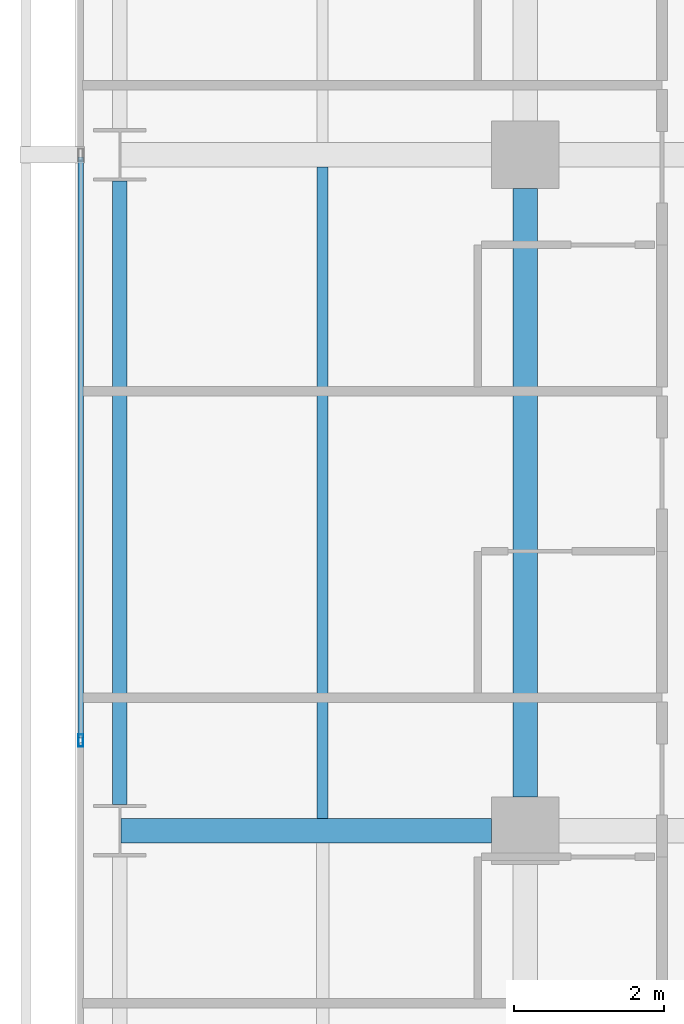
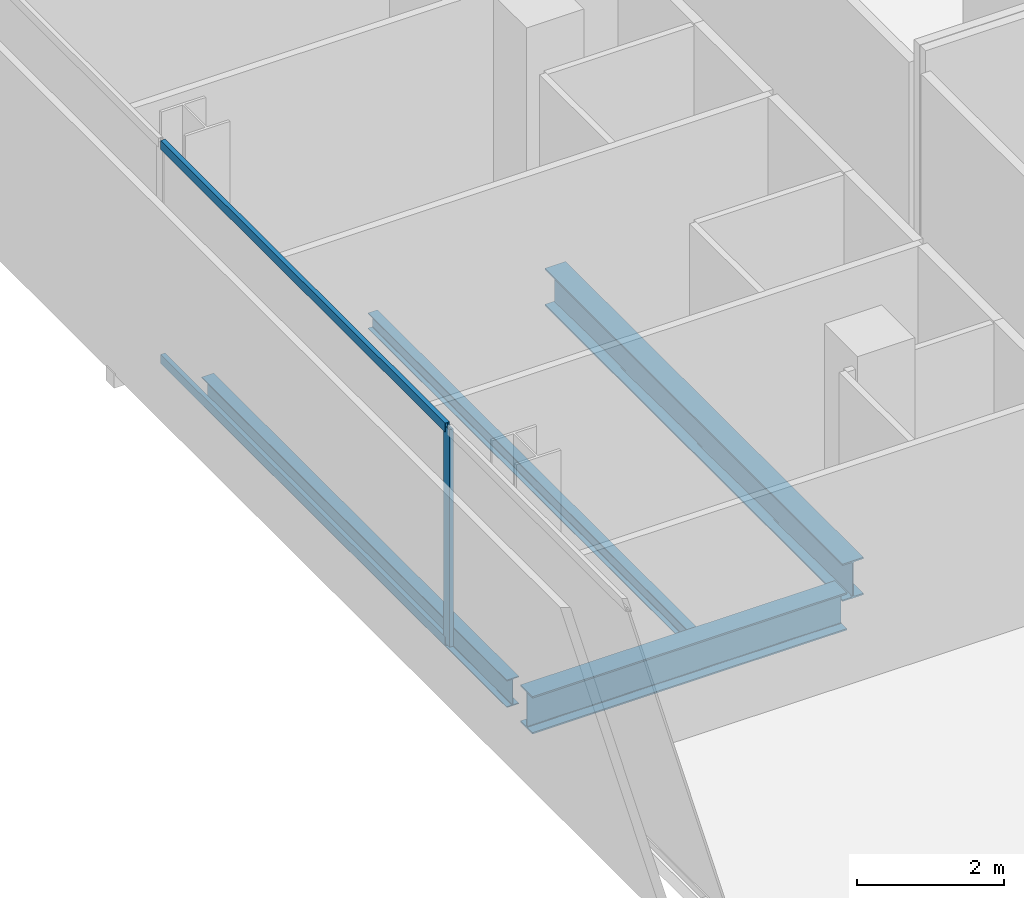
# One storey, part 10 of 41: 4 beams, 3 members, 1 element without a shape of its own.
"""IFC4 building model written with IfcOpenShell, lengths in metres."""

from ifc_helpers import new_model, si_unit, direction, frame, origin, origin_2d, place, context, subcontext, project, spatial, hollow_rectangle, i_section, extrude, material, layer, layer_set, material_profile, profile_set, type_object, element, aggregate, save


model = new_model("IFC4")

# Units and contexts
model_context = context("Model", 3, precision=1e-05, world=origin(), true_north=direction((0.0, 1.0)))
body_context = subcontext(model_context, "Body", "Model", "MODEL_VIEW")
ifc_project = project(units=[si_unit("LENGTHUNIT", "METRE"), si_unit("AREAUNIT", "SQUARE_METRE"), si_unit("VOLUMEUNIT", "CUBIC_METRE"), si_unit("PLANEANGLEUNIT", "RADIAN"), si_unit("MASSUNIT", "GRAM", prefix="KILO")], contexts=[model_context])

# Site, building, storey
site_placement = place(None, origin())
site = spatial("IfcSite", under=ifc_project, at=site_placement, CompositionType="ELEMENT")
building_placement = place(site_placement, origin())
building = spatial("IfcBuilding", under=site, at=building_placement, Name="Maruvema Waterfront Hotel and Observation Tower", CompositionType="ELEMENT")
storey_placement = place(building_placement, frame((0.0, 0.0, 61.60009765625)))
storey = spatial("IfcBuildingStorey", under=building, at=storey_placement, Name="L14", CompositionType="ELEMENT", Elevation=61.60009765625)

# Curtain wall, members
ifc_material_1 = material(Name="Anodised bronze aluminium and solar-control low-E IGU", Category="aluminium")
ifc_layer = layer(ifc_material_1, 0.159912109375, Name="Zone 1 Bronze Inner Thermal Curtain Wall System CW-02")
ifc_layer_set = layer_set([ifc_layer], Name="Anodised bronze aluminium and solar-control low-E IGU")
curtain_wall_type = type_object("IfcCurtainWallType", Name="Zone 1 Bronze Inner Thermal Curtain Wall System CW-02", PredefinedType="USERDEFINED", material=ifc_layer_set)
curtain_wall_placement = place(storey_placement, origin())
curtain_wall = element("IfcCurtainWall", 1, at=curtain_wall_placement, inside=storey, type_object=curtain_wall_type, Name="L14 Curtain Wall CW-L14-W", ObjectType="UNITISED CURTAIN WALL", PredefinedType="USERDEFINED")
ifc_material_2 = material(Name="Anodised architectural bronze aluminium", Category="aluminium")
ifc_material_profile_1 = material_profile(ifc_material_2, hollow_rectangle(XDim=0.070068359375, YDim=0.14990234375, WallThickness=0.00390625, at=origin_2d()), Name="ALU-T70x150")
ifc_profile_set_1 = profile_set([ifc_material_profile_1], Name="Anodised architectural bronze aluminium")
member_type_1 = type_object("IfcMemberType", Name="Curtain Wall Horizontal Transom ALU-T70x150", PredefinedType="USERDEFINED", material=ifc_profile_set_1)
member_1_placement = place(storey_placement, frame((10.8798828125, 26.969970703125, 0.02978515625), z_axis=(0.0, -1.0, 0.0), x_axis=(1.0, 0.0, 0.0)))
member_1 = element("IfcMember", 2, at=member_1_placement, type_object=member_type_1, Name="CW-02 transom 4.1", ObjectType="TRANSOM", PredefinedType="USERDEFINED", context=body_context, shape_type="SweptSolid", body=[
    extrude(hollow_rectangle(XDim=0.070068359375, YDim=0.14990234375, WallThickness=0.00390625, at=origin_2d()), origin(), (0.0, 0.0, 1.0), 7.739990234375),
])
member_2_placement = place(storey_placement, frame((10.8798828125, 26.969970703125, 3.579833984375), z_axis=(0.0, -1.0, 0.0), x_axis=(1.0, 0.0, 0.0)))
member_2 = element("IfcMember", 3, at=member_2_placement, type_object=member_type_1, Name="CW-02 transom 4.2", ObjectType="TRANSOM", PredefinedType="USERDEFINED", context=body_context, shape_type="SweptSolid", body=[
    extrude(hollow_rectangle(XDim=0.070068359375, YDim=0.14990234375, WallThickness=0.00390625, at=origin_2d()), origin(), (0.0, 0.0, 1.0), 7.739990234375),
])
ifc_material_3 = material(Name="Anodised architectural bronze aluminium", Category="aluminium")
ifc_material_profile_2 = material_profile(ifc_material_3, hollow_rectangle(XDim=0.06494140625, YDim=0.1650390625, WallThickness=0.00390625, at=origin_2d()), Name="ALU-M65x165")
ifc_profile_set_2 = profile_set([ifc_material_profile_2], Name="Anodised architectural bronze aluminium")
member_type_2 = type_object("IfcMemberType", Name="Curtain Wall Primary Mullion ALU-M65x165", PredefinedType="MULLION", material=ifc_profile_set_2)
member_3_placement = place(storey_placement, frame((10.8798828125, 19.199951171875, 0.0), z_axis=(0.0, 0.0, 1.0), x_axis=(1.0, 0.0, 0.0)))
member_3 = element("IfcMember", 4, at=member_3_placement, type_object=member_type_2, Name="CW-02 mullion 5", PredefinedType="MULLION", context=body_context, shape_type="SweptSolid", body=[
    extrude(hollow_rectangle(XDim=0.06494140625, YDim=0.1650390625, WallThickness=0.00390625, at=origin_2d()), origin(), (0.0, 0.0, 1.0), 3.60986328125),
])
aggregate(curtain_wall, [member_3, member_1, member_2])

# Beams
ifc_material_4 = material(Name="Steel ASTM A572 Grade 50", Category="steel")
ifc_material_profile_3 = material_profile(ifc_material_4, i_section(OverallWidth=0.18994140625, OverallDepth=0.45703125, WebThickness=0.009033203125, FlangeThickness=0.014404296875, FilletRadius=0.014892578125, at=origin_2d()), Name="W460x74.0")
ifc_profile_set_3 = profile_set([ifc_material_profile_3], Name="Steel ASTM A572 Grade 50")
beam_type_1 = type_object("IfcBeamType", Name="Perimeter Spandrel Beam W460x74.0", PredefinedType="SPANDREL", material=ifc_profile_set_3)
beam_1_placement = place(storey_placement, frame((11.39990234375, 18.35009765625, -0.468505859375), z_axis=(0.0, 1.0, 0.0), x_axis=(-1.0, 0.0, 0.0)))
element("IfcBeam", 5, at=beam_1_placement, inside=storey, type_object=beam_type_1, Name="L14 Floor Girder NS-02", PredefinedType="SPANDREL", context=body_context, shape_type="SweptSolid", body=[
    extrude(i_section(OverallWidth=0.18994140625, OverallDepth=0.45703125, WebThickness=0.009033203125, FlangeThickness=0.014404296875, FilletRadius=0.014892578125, at=origin_2d()), origin(), (0.0, 0.0, 1.0), 8.2998046875),
])
ifc_material_5 = material(Name="Steel ASTM A572 Grade 50", Category="steel")
ifc_material_profile_4 = material_profile(ifc_material_5, i_section(OverallWidth=0.326904296875, OverallDepth=0.6220703125, WebThickness=0.015380859375, FlangeThickness=0.0244140625, FilletRadius=0.01806640625, at=origin_2d()), Name="W610x195.0")
ifc_profile_set_4 = profile_set([ifc_material_profile_4], Name="Steel ASTM A572 Grade 50")
beam_type_2 = type_object("IfcBeamType", Name="Primary Floor Girder W610x195.0", PredefinedType="BEAM", material=ifc_profile_set_4)
beam_2_placement = place(storey_placement, frame((11.4140625, 18.0, -0.551025390625), z_axis=(1.0, 0.0, 0.0), x_axis=(0.0, 1.0, 0.0)))
element("IfcBeam", 6, at=beam_2_placement, inside=storey, type_object=beam_type_2, Name="L14 Floor Girder EW-13", PredefinedType="BEAM", context=body_context, shape_type="SweptSolid", body=[
    extrude(i_section(OverallWidth=0.326904296875, OverallDepth=0.6220703125, WebThickness=0.015380859375, FlangeThickness=0.0244140625, FilletRadius=0.01806640625, at=origin_2d()), origin(), (0.0, 0.0, 1.0), 4.93603515625),
])
beam_3_placement = place(storey_placement, frame((16.800048828125, 18.449951171875, -0.551025390625), z_axis=(0.0, 1.0, 0.0), x_axis=(-1.0, 0.0, 0.0)))
element("IfcBeam", 7, at=beam_3_placement, inside=storey, type_object=beam_type_2, Name="L14 Floor Girder NS-07", PredefinedType="BEAM", context=body_context, shape_type="SweptSolid", body=[
    extrude(i_section(OverallWidth=0.326904296875, OverallDepth=0.6220703125, WebThickness=0.015380859375, FlangeThickness=0.0244140625, FilletRadius=0.01806640625, at=origin_2d()), origin(), (0.0, 0.0, 1.0), 8.10009765625),
])
ifc_material_6 = material(Name="Steel ASTM A572 Grade 50", Category="steel")
ifc_material_profile_5 = material_profile(ifc_material_6, i_section(OverallWidth=0.14794921875, OverallDepth=0.26611328125, WebThickness=0.007568359375, FlangeThickness=0.012939453125, FilletRadius=0.012939453125, at=origin_2d()), Name="W250x44.8")
ifc_profile_set_5 = profile_set([ifc_material_profile_5], Name="Steel ASTM A572 Grade 50")
beam_type_3 = type_object("IfcBeamType", Name="Secondary Floor Joist W250x44.8", PredefinedType="JOIST", material=ifc_profile_set_5)
beam_4_placement = place(storey_placement, frame((14.10009765625, 18.16357421875, -0.373046875), z_axis=(0.0, 1.0, 0.0), x_axis=(-1.0, 0.0, 0.0)))
element("IfcBeam", 8, at=beam_4_placement, inside=storey, type_object=beam_type_3, Name="L14 Secondary Floor Joist JS-02", PredefinedType="JOIST", context=body_context, shape_type="SweptSolid", body=[
    extrude(i_section(OverallWidth=0.14794921875, OverallDepth=0.26611328125, WebThickness=0.007568359375, FlangeThickness=0.012939453125, FilletRadius=0.012939453125, at=origin_2d()), origin(), (0.0, 0.0, 1.0), 8.6728515625),
])

save(model, "model.ifc")
